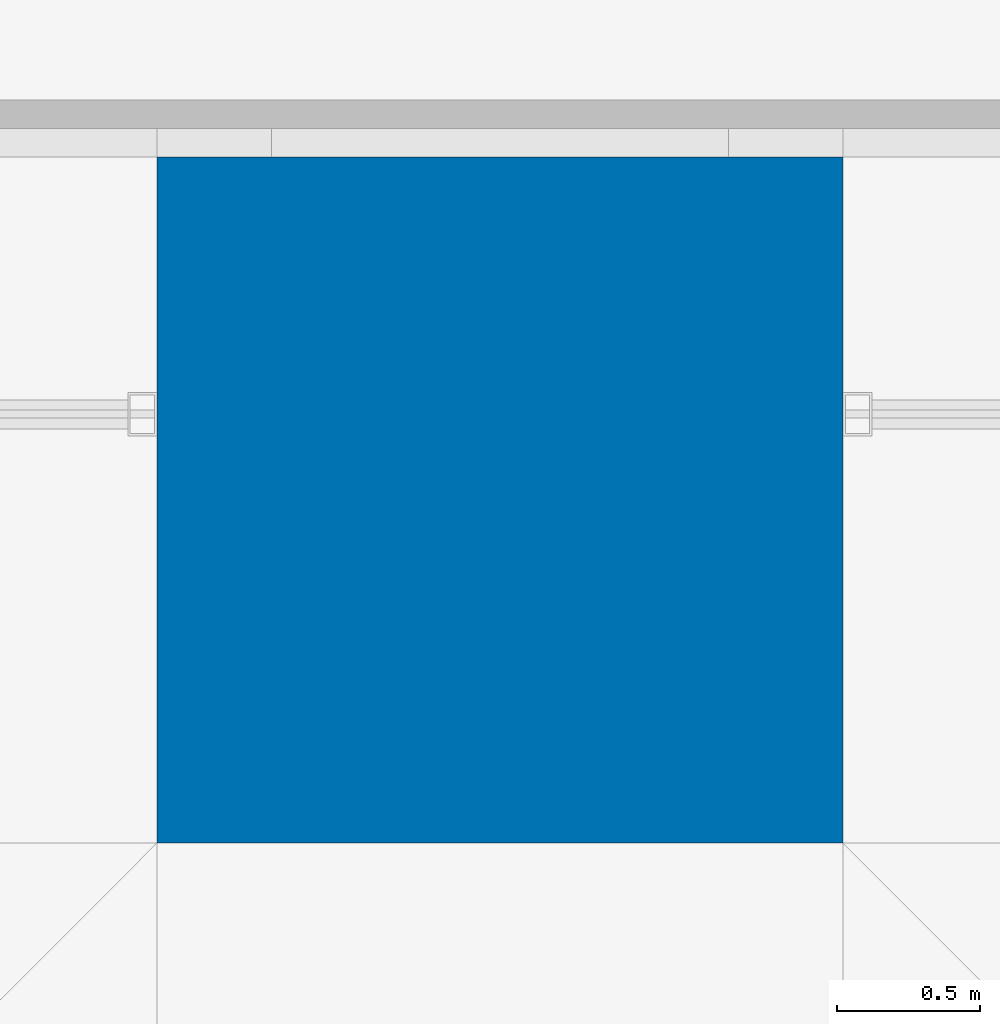
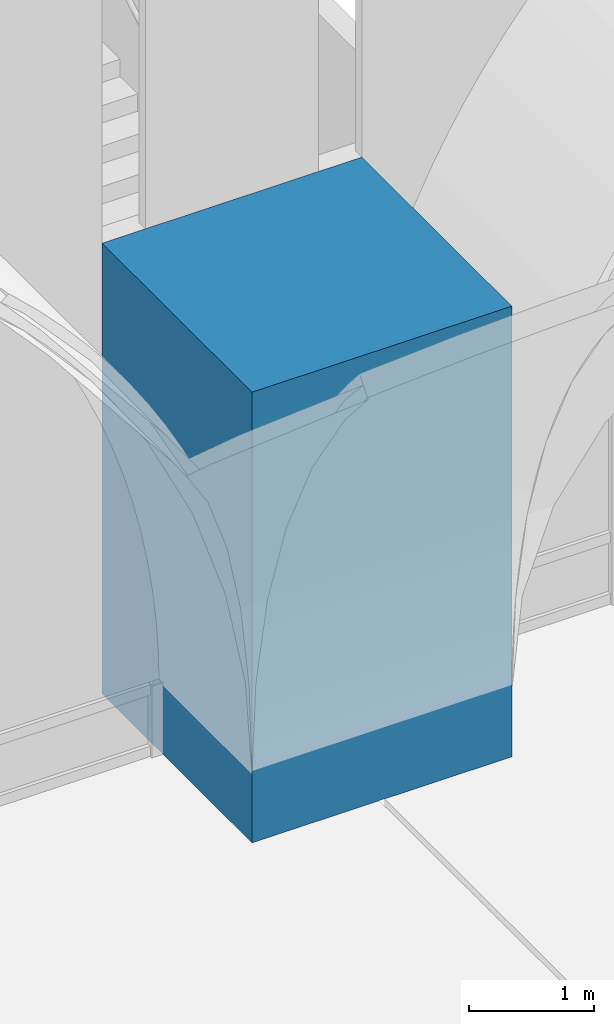
# One storey, part 4 of 169: 1 column.
"""IFC4 building model written with IfcOpenShell, lengths in metres."""

from ifc_helpers import new_model, si_unit, direction, frame, origin, origin_2d, place, context, subcontext, project, spatial, rectangle, extrude, material, material_profile, profile_set, type_object, element, save


model = new_model("IFC4")

# Units and contexts
model_context = context("Model", 3, precision=1e-05, world=origin(), true_north=direction((0.0, 1.0)))
body_context = subcontext(model_context, "Body", "Model", "MODEL_VIEW")
ifc_project = project(units=[si_unit("LENGTHUNIT", "METRE"), si_unit("AREAUNIT", "SQUARE_METRE"), si_unit("VOLUMEUNIT", "CUBIC_METRE"), si_unit("PLANEANGLEUNIT", "RADIAN"), si_unit("MASSUNIT", "GRAM", prefix="KILO")], contexts=[model_context])

# Site, building, storey
site_placement = place(None, origin())
site = spatial("IfcSite", under=ifc_project, at=site_placement, CompositionType="ELEMENT")
building_placement = place(site_placement, origin())
building = spatial("IfcBuilding", under=site, at=building_placement, Name="Verrick Yard Athletic Hall", CompositionType="ELEMENT")
storey_placement = place(building_placement, frame((0.0, 0.0, 4.39990234375)))
storey = spatial("IfcBuildingStorey", under=building, at=storey_placement, Name="L01", CompositionType="ELEMENT", Elevation=4.39990234375)

# Column
ifc_material = material(Name="Concrete 35 MPa", Category="concrete")
ifc_material_profile = material_profile(ifc_material, rectangle(XDim=2.39990234375, YDim=2.39990234375, at=origin_2d()), Name="STR Buttress pier PR1")
ifc_profile_set = profile_set([ifc_material_profile], Name="Concrete 35 MPa")
column_type = type_object("IfcColumnType", Name="STR Buttress pier PR1", PredefinedType="COLUMN", material=ifc_profile_set)
column_placement = place(storey_placement, frame((73.60009765625, 52.800048828125, 0.0), z_axis=(0.0, 0.0, 1.0), x_axis=(1.0, 0.0, 0.0)))
element("IfcColumn", 1, at=column_placement, inside=storey, type_object=column_type, Name="Buttress pier P3C", PredefinedType="COLUMN", context=body_context, shape_type="SweptSolid", body=[
    extrude(rectangle(XDim=2.39990234375, YDim=2.39990234375, at=origin_2d()), origin(), (0.0, 0.0, 1.0), 4.400146484375),
])

save(model, "model.ifc")
